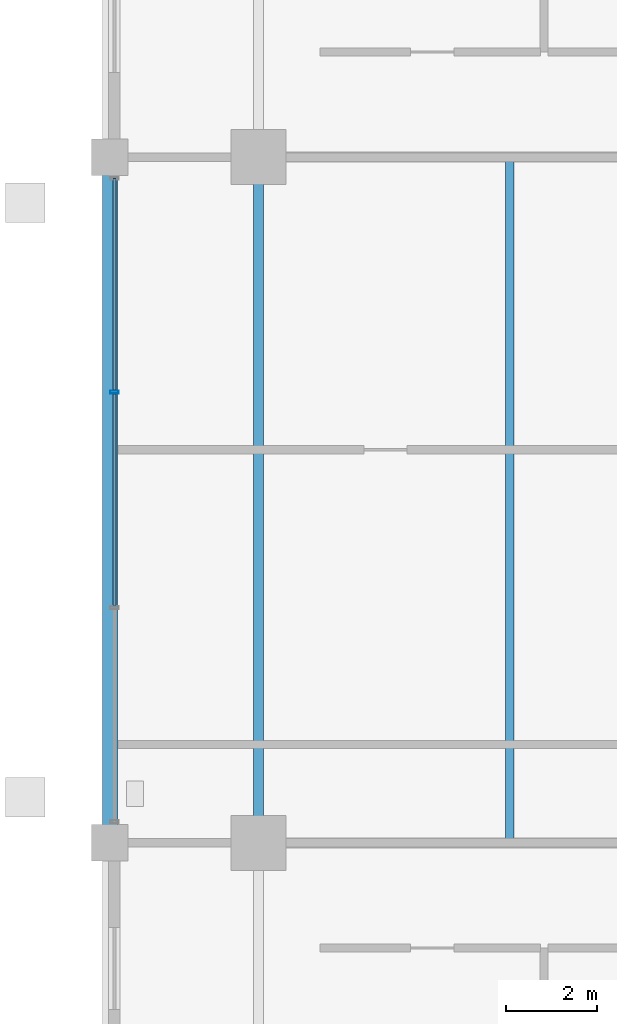
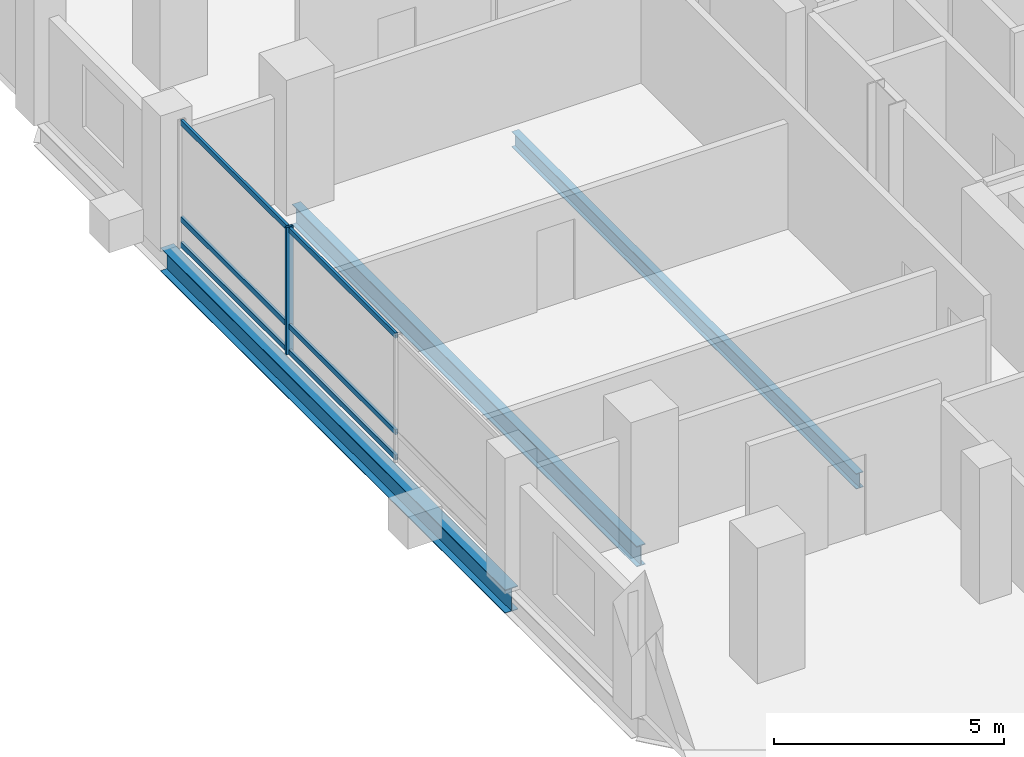
# One storey, part 5 of 19: 7 members, 3 beams, 1 element without a shape of its own.
"""IFC4 building model written with IfcOpenShell, lengths in metres."""

import ifcopenshell
import ifcopenshell.guid

model = None  # the IFC model being written
_history = None  # IfcOwnerHistory: only IFC2X3 demands one
_inside = {}  # id of a spatial element -> (the spatial element, [elements in it])
_under = {}  # id of a project, library or spatial element -> (it, [spatial elements below it])
_declared = {}  # id of a project -> (the project, [libraries it declares])
_typed = {}  # id of a type object -> (the type object, [elements of that type])
_made_of = {}  # id of a material, layer set ... -> (it, [elements and type objects made of it])


def new_model(schema):
    """Start an empty IFC model of exactly this schema.

    Asked for "IFC4X3", IfcOpenShell would pick the latest addendum, in which some entities
    have other attributes; the version numbers below select the first issue.
    IFC2X3 requires an IfcOwnerHistory on every rooted entity: one is made here for all.
    """
    global model, _history
    if schema == "IFC4X3":
        model = ifcopenshell.file(schema_version=(4, 3, 0, 0))
    else:
        model = ifcopenshell.file(schema=schema)
    _inside.clear()
    _under.clear()
    _declared.clear()
    _typed.clear()
    _made_of.clear()
    _history = None
    if model.schema == "IFC2X3":
        org = make("IfcOrganization", Name="unknown")
        user = make(
            "IfcPersonAndOrganization",
            ThePerson=make("IfcPerson", FamilyName="unknown"),
            TheOrganization=org,
        )
        app = make(
            "IfcApplication",
            ApplicationDeveloper=org,
            Version="unknown",
            ApplicationFullName="unknown",
            ApplicationIdentifier="unknown",
        )
        _history = make(
            "IfcOwnerHistory",
            OwningUser=user,
            OwningApplication=app,
            ChangeAction="ADDED",
            CreationDate=0,
        )
    return model


def make(cls, **values):
    """One entity of the class cls with the attributes given. An attribute that is None is left unset."""
    return model.create_entity(
        cls, **{name: value for name, value in values.items() if value is not None}
    )


def rooted(cls, **values):
    """An entity with a GlobalId (a new one), such as an element, a storey or a relation."""
    return make(cls, GlobalId=ifcopenshell.guid.new(), OwnerHistory=_history, **values)


def si_unit(unit_type, name, prefix=None):
    """IfcSIUnit, for example si_unit("LENGTHUNIT", "METRE", prefix="MILLI")."""
    return make("IfcSIUnit", UnitType=unit_type, Prefix=prefix, Name=name)


def assignment(units):
    """IfcUnitAssignment: the units of a project."""
    return None if units is None else make("IfcUnitAssignment", Units=units)


def point(xyz):
    """IfcCartesianPoint."""
    return None if xyz is None else make("IfcCartesianPoint", Coordinates=xyz)


def direction(xyz):
    """IfcDirection."""
    return None if xyz is None else make("IfcDirection", DirectionRatios=xyz)


def frame(location, z_axis=None, x_axis=None):
    """IfcAxis2Placement3D, a coordinate frame: its origin and axes. An axis left out is left unset."""
    return make(
        "IfcAxis2Placement3D",
        Location=point(location),
        Axis=direction(z_axis),
        RefDirection=direction(x_axis),
    )


def frame_2d(location, x_axis=None):
    """IfcAxis2Placement2D, a coordinate frame in the plane: its origin and x axis."""
    return make(
        "IfcAxis2Placement2D", Location=point(location), RefDirection=direction(x_axis)
    )


def origin():
    """The frame at (0, 0, 0) with its axes left unset."""
    return frame((0.0, 0.0, 0.0))


def origin_2d():
    """The frame at (0, 0) in the plane with its x axis left unset."""
    return frame_2d((0.0, 0.0))


def place(relative_to, where):
    """IfcLocalPlacement: puts the frame where relative to a parent placement (None: the world)."""
    return make(
        "IfcLocalPlacement", PlacementRelTo=relative_to, RelativePlacement=where
    )


def context(
    kind, dimensions, precision=None, world=None, true_north=None, identifier=None
):
    """IfcGeometricRepresentationContext, for example the 3D "Model" context."""
    return make(
        "IfcGeometricRepresentationContext",
        ContextIdentifier=identifier,
        ContextType=kind,
        CoordinateSpaceDimension=dimensions,
        Precision=precision,
        WorldCoordinateSystem=world,
        TrueNorth=true_north,
    )


def subcontext(parent, identifier, kind, view, scale=None):
    """IfcGeometricRepresentationSubContext, for example "Body" below "Model"."""
    return make(
        "IfcGeometricRepresentationSubContext",
        ContextIdentifier=identifier,
        ContextType=kind,
        ParentContext=parent,
        TargetScale=scale,
        TargetView=view,
    )


def project(units=None, contexts=None):
    """IfcProject with its units and contexts."""
    return rooted(
        "IfcProject",
        Name="project",
        RepresentationContexts=contexts,
        UnitsInContext=assignment(units),
    )


def spatial(cls, under=None, at=None, **own):
    """A site, building, storey or space (cls), placed at a placement, below another one or the project."""
    s = rooted(cls, ObjectPlacement=at, **own)
    if under is not None:
        _under.setdefault(under.id(), (under, []))[1].append(s)
    return s


def profile(cls, at=None, kind="AREA", **sizes):
    """A parametric profile (cls). Its sizes go by their IFC names, for example OverallWidth=200.0."""
    return make(cls, ProfileType=kind, Position=at, **sizes)


def hollow_rectangle(**sizes):
    """IfcRectangleHollowProfileDef."""
    return profile("IfcRectangleHollowProfileDef", **sizes)


def i_section(**sizes):
    """IfcIShapeProfileDef."""
    return profile("IfcIShapeProfileDef", **sizes)


def extrude(swept, where, along, depth):
    """IfcExtrudedAreaSolid: the profile swept, set in the frame where, extruded along a direction by depth."""
    return make(
        "IfcExtrudedAreaSolid",
        SweptArea=swept,
        Position=where,
        ExtrudedDirection=direction(along),
        Depth=depth,
    )


def shape(context_of_items, identifier, shape_type, items):
    """IfcShapeRepresentation: the items that make up one representation, for example the "Body"."""
    return make(
        "IfcShapeRepresentation",
        ContextOfItems=context_of_items,
        RepresentationIdentifier=identifier,
        RepresentationType=shape_type,
        Items=items,
    )


def material(Name=None, Category=None):
    """IfcMaterial."""
    return make("IfcMaterial", Name=Name, Category=Category)


def layer(
    of_material, thickness, ventilated=None, Name=None, Category=None, Priority=None
):
    """IfcMaterialLayer: one layer of a wall or slab, of a material (None: an air gap)."""
    return make(
        "IfcMaterialLayer",
        Material=of_material,
        LayerThickness=thickness,
        IsVentilated=ventilated,
        Name=Name,
        Category=Category,
        Priority=Priority,
    )


def layer_set(layers, Name=None):
    """IfcMaterialLayerSet."""
    return make("IfcMaterialLayerSet", MaterialLayers=layers, LayerSetName=Name)


def material_profile(
    of_material, cross_section, Name=None, Category=None, Priority=None
):
    """IfcMaterialProfile: a cross section and its material."""
    return make(
        "IfcMaterialProfile",
        Name=Name,
        Material=of_material,
        Profile=cross_section,
        Priority=Priority,
        Category=Category,
    )


def profile_set(profiles, Name=None, composite=None):
    """IfcMaterialProfileSet."""
    return make(
        "IfcMaterialProfileSet",
        Name=Name,
        MaterialProfiles=profiles,
        CompositeProfile=composite,
    )


def made_of(thing, what):
    """Note that an element or type object is made of a material, layer set ...; save() writes the relation."""
    if what is not None:
        _made_of.setdefault(what.id(), (what, []))[1].append(thing)
    return thing


def type_object(cls, material=None, **own):
    """A type object (cls), such as IfcWallType, which elements share."""
    return made_of(rooted(cls, **own), material)


def element(
    cls,
    number,
    at=None,
    inside=None,
    cuts=None,
    type_object=None,
    material=None,
    context=None,
    identifier="Body",
    shape_type=None,
    held_by="IfcProductDefinitionShape",
    body=None,
    shapes=None,
    **own,
):
    """One element of the class cls, such as IfcWall. Its Tag is "e" and its number.

    at: its placement. inside: the storey or other place that contains it. cuts: it is an
    opening in that element (IfcRelVoidsElement). A single representation is given by context,
    identifier, shape_type and body (its items); several are given by shapes. held_by: the class
    of the entity that holds the representations. save() writes the other relations.
    """
    e = rooted(cls, Tag="e%d" % number, ObjectPlacement=at, **own)
    if body is not None:
        shapes = [shape(context, identifier, shape_type, body)]
    if shapes is not None:
        e.Representation = make(held_by, Representations=shapes)
    if inside is not None:
        _inside.setdefault(inside.id(), (inside, []))[1].append(e)
    if cuts is not None:
        rooted(
            "IfcRelVoidsElement", RelatingBuildingElement=cuts, RelatedOpeningElement=e
        )
    if type_object is not None:
        _typed.setdefault(type_object.id(), (type_object, []))[1].append(e)
    return made_of(e, material)


def aggregate(whole, parts):
    """IfcRelAggregates: a whole, such as a stair, and the parts it consists of."""
    return rooted("IfcRelAggregates", RelatingObject=whole, RelatedObjects=parts)


def save(model, path):
    """Write the relations noted so far, then the file.

    IfcRelAggregates (storeys below a building ...), IfcRelContainedInSpatialStructure (elements
    in a storey), IfcRelDefinesByType, IfcRelAssociatesMaterial and IfcRelDeclares: one each for
    every whole, place, type object, material and project.
    """
    for whole, parts in _under.values():
        aggregate(whole, parts)
    for where, things in _inside.values():
        rooted(
            "IfcRelContainedInSpatialStructure",
            RelatedElements=things,
            RelatingStructure=where,
        )
    for kind, things in _typed.values():
        rooted("IfcRelDefinesByType", RelatedObjects=things, RelatingType=kind)
    for what, things in _made_of.values():
        rooted("IfcRelAssociatesMaterial", RelatedObjects=things, RelatingMaterial=what)
    for by, libraries in _declared.values():
        rooted("IfcRelDeclares", RelatingContext=by, RelatedDefinitions=libraries)
    model.write(path)


model = new_model("IFC4")

# Units and contexts
model_context = context("Model", 3, precision=1e-05, world=origin(), true_north=direction((0.0, 1.0)))
body_context = subcontext(model_context, "Body", "Model", "MODEL_VIEW")
ifc_project = project(units=[si_unit("LENGTHUNIT", "METRE"), si_unit("AREAUNIT", "SQUARE_METRE"), si_unit("VOLUMEUNIT", "CUBIC_METRE"), si_unit("PLANEANGLEUNIT", "RADIAN"), si_unit("MASSUNIT", "GRAM", prefix="KILO")], contexts=[model_context])

# Site, building, storey
site_placement = place(None, origin())
site = spatial("IfcSite", under=ifc_project, at=site_placement, CompositionType="ELEMENT")
building_placement = place(site_placement, origin())
building = spatial("IfcBuilding", under=site, at=building_placement, Name="Barlavira Tower and Art Museum", CompositionType="ELEMENT")
storey_placement = place(building_placement, frame((0.0, 0.0, 158.39990234375)))
storey = spatial("IfcBuildingStorey", under=building, at=storey_placement, Name="L40", CompositionType="ELEMENT", Elevation=158.39990234375)

# Curtain wall, members
ifc_material_1 = material(Name="Low-iron coastal laminated glass", Category="glass")
ifc_layer = layer(ifc_material_1, 0.18994140625, Name="Low-iron coastal laminated glass")
ifc_layer_set = layer_set([ifc_layer], Name="Low-iron coastal laminated glass")
curtain_wall_type = type_object("IfcCurtainWallType", Name="Pale-Metal Unitised Curtain Wall Zone 2", PredefinedType="NOTDEFINED", material=ifc_layer_set)
curtain_wall_placement = place(storey_placement, origin())
curtain_wall = element("IfcCurtainWall", 1, at=curtain_wall_placement, inside=storey, type_object=curtain_wall_type, Name="L40 Curtain Wall CW2-L40-W-B3", PredefinedType="NOTDEFINED")
ifc_material_2 = material(Name="Pale anodised aluminium", Category="aluminium")
ifc_material_profile_1 = material_profile(ifc_material_2, hollow_rectangle(XDim=0.06494140625, YDim=0.179931640625, WallThickness=0.00390625, at=origin_2d()), Name="ALU-MULL 65x180x4")
ifc_profile_set_1 = profile_set([ifc_material_profile_1], Name="Pale anodised aluminium")
member_type_1 = type_object("IfcMemberType", Name="Curtain Wall Pale-Metal Mullion 65x180", PredefinedType="MULLION", material=ifc_profile_set_1)
member_1_placement = place(storey_placement, frame((-20.14990234375, 2.360107421875, 0.0), z_axis=(0.0, 0.0, 1.0), x_axis=(0.0, -1.0, 0.0)))
member_1 = element("IfcMember", 2, at=member_1_placement, type_object=member_type_1, Name="CW2-L40-W-B3 Mullion 1", PredefinedType="MULLION", context=body_context, shape_type="SweptSolid", body=[
    extrude(hollow_rectangle(XDim=0.06494140625, YDim=0.179931640625, WallThickness=0.00390625, at=origin_2d()), origin(), (0.0, 0.0, 1.0), 3.380126953125),
])
ifc_material_profile_2 = material_profile(ifc_material_2, hollow_rectangle(XDim=0.06494140625, YDim=0.139892578125, WallThickness=0.00390625, at=origin_2d()), Name="ALU-TRAN 65x140x4")
ifc_profile_set_2 = profile_set([ifc_material_profile_2], Name="Pale anodised aluminium")
member_type_2 = type_object("IfcMemberType", Name="Curtain Wall Pale-Metal Transom 65x140", PredefinedType="USERDEFINED", material=ifc_profile_set_2)
member_2_placement = place(storey_placement, frame((-20.14990234375, 7.034912109375, 0.070068359375), z_axis=(0.0, -1.0, 0.0), x_axis=(1.0, 0.0, 0.0)))
member_2 = element("IfcMember", 3, at=member_2_placement, type_object=member_type_2, Name="CW2-L40-W-B3 Transom 0.1", ObjectType="TRANSOM", PredefinedType="USERDEFINED", context=body_context, shape_type="SweptSolid", body=[
    extrude(hollow_rectangle(XDim=0.06494140625, YDim=0.139892578125, WallThickness=0.00390625, at=origin_2d()), origin(), (0.0, 0.0, 1.0), 4.6298828125),
])
member_3_placement = place(storey_placement, frame((-20.14990234375, 7.034912109375, 0.744140625), z_axis=(0.0, -1.0, 0.0), x_axis=(1.0, 0.0, 0.0)))
member_3 = element("IfcMember", 4, at=member_3_placement, type_object=member_type_2, Name="CW2-L40-W-B3 Transom 0.2", ObjectType="TRANSOM", PredefinedType="USERDEFINED", context=body_context, shape_type="SweptSolid", body=[
    extrude(hollow_rectangle(XDim=0.06494140625, YDim=0.139892578125, WallThickness=0.00390625, at=origin_2d()), origin(), (0.0, 0.0, 1.0), 4.6298828125),
])
member_4_placement = place(storey_placement, frame((-20.14990234375, 7.034912109375, 3.31005859375), z_axis=(0.0, -1.0, 0.0), x_axis=(1.0, 0.0, 0.0)))
member_4 = element("IfcMember", 5, at=member_4_placement, type_object=member_type_2, Name="CW2-L40-W-B3 Transom 0.3", ObjectType="TRANSOM", PredefinedType="USERDEFINED", context=body_context, shape_type="SweptSolid", body=[
    extrude(hollow_rectangle(XDim=0.06494140625, YDim=0.139892578125, WallThickness=0.00390625, at=origin_2d()), origin(), (0.0, 0.0, 1.0), 4.6298828125),
])
member_5_placement = place(storey_placement, frame((-20.14990234375, 2.31494140625, 0.070068359375), z_axis=(0.0, -1.0, 0.0), x_axis=(1.0, 0.0, 0.0)))
member_5 = element("IfcMember", 6, at=member_5_placement, type_object=member_type_2, Name="CW2-L40-W-B3 Transom 1.1", ObjectType="TRANSOM", PredefinedType="USERDEFINED", context=body_context, shape_type="SweptSolid", body=[
    extrude(hollow_rectangle(XDim=0.06494140625, YDim=0.139892578125, WallThickness=0.00390625, at=origin_2d()), origin(), (0.0, 0.0, 1.0), 4.6298828125),
])
member_6_placement = place(storey_placement, frame((-20.14990234375, 2.31494140625, 0.744140625), z_axis=(0.0, -1.0, 0.0), x_axis=(1.0, 0.0, 0.0)))
member_6 = element("IfcMember", 7, at=member_6_placement, type_object=member_type_2, Name="CW2-L40-W-B3 Transom 1.2", ObjectType="TRANSOM", PredefinedType="USERDEFINED", context=body_context, shape_type="SweptSolid", body=[
    extrude(hollow_rectangle(XDim=0.06494140625, YDim=0.139892578125, WallThickness=0.00390625, at=origin_2d()), origin(), (0.0, 0.0, 1.0), 4.6298828125),
])
member_7_placement = place(storey_placement, frame((-20.14990234375, 2.31494140625, 3.31005859375), z_axis=(0.0, -1.0, 0.0), x_axis=(1.0, 0.0, 0.0)))
member_7 = element("IfcMember", 8, at=member_7_placement, type_object=member_type_2, Name="CW2-L40-W-B3 Transom 1.3", ObjectType="TRANSOM", PredefinedType="USERDEFINED", context=body_context, shape_type="SweptSolid", body=[
    extrude(hollow_rectangle(XDim=0.06494140625, YDim=0.139892578125, WallThickness=0.00390625, at=origin_2d()), origin(), (0.0, 0.0, 1.0), 4.6298828125),
])
aggregate(curtain_wall, [member_1, member_2, member_3, member_4, member_5, member_6, member_7])

# Beams
ifc_material_3 = material(Name="Steel S355", Category="steel")
ifc_material_profile_3 = material_profile(ifc_material_3, i_section(OverallWidth=0.327880859375, OverallDepth=0.62890625, WebThickness=0.013916015625, FlangeThickness=0.021484375, at=origin_2d()), Name="W610x174.0")
ifc_profile_set_3 = profile_set([ifc_material_profile_3], Name="Steel S355")
beam_type_1 = type_object("IfcBeamType", Name="Perimeter Spandrel Edge Beam W610x174 Steel S355", PredefinedType="SPANDREL", material=ifc_profile_set_3)
beam_1_placement = place(storey_placement, frame((-20.25, -7.5, -0.534423828125), z_axis=(0.0, 1.0, 0.0), x_axis=(-1.0, 0.0, 0.0)))
element("IfcBeam", 9, at=beam_1_placement, inside=storey, type_object=beam_type_1, Name="L40 Spandrel 14", PredefinedType="SPANDREL", context=body_context, shape_type="SweptSolid", body=[
    extrude(i_section(OverallWidth=0.327880859375, OverallDepth=0.62890625, WebThickness=0.013916015625, FlangeThickness=0.021484375, at=origin_2d()), origin(), (0.0, 0.0, 1.0), 15.0),
])
ifc_material_profile_4 = material_profile(ifc_material_3, i_section(OverallWidth=0.214111328125, OverallDepth=0.549072265625, WebThickness=0.0146484375, FlangeThickness=0.023681640625, at=origin_2d()), Name="W530x138.0")
ifc_profile_set_4 = profile_set([ifc_material_profile_4], Name="Steel S355")
beam_type_2 = type_object("IfcBeamType", Name="Zone 1 Primary Floor Girder W530x138 Steel S355", PredefinedType="BEAM", material=ifc_profile_set_4)
beam_2_placement = place(storey_placement, frame((-17.0, -7.5, -0.494384765625), z_axis=(0.0, 1.0, 0.0), x_axis=(-1.0, 0.0, 0.0)))
element("IfcBeam", 10, at=beam_2_placement, inside=storey, type_object=beam_type_2, Name="L40 Girder M-W2", PredefinedType="BEAM", context=body_context, shape_type="SweptSolid", body=[
    extrude(i_section(OverallWidth=0.214111328125, OverallDepth=0.549072265625, WebThickness=0.0146484375, FlangeThickness=0.023681640625, at=origin_2d()), origin(), (0.0, 0.0, 1.0), 15.0),
])
ifc_material_profile_5 = material_profile(ifc_material_3, i_section(OverallWidth=0.179931640625, OverallDepth=0.4130859375, WebThickness=0.009765625, FlangeThickness=0.01611328125, at=origin_2d()), Name="W410x75.0")
ifc_profile_set_5 = profile_set([ifc_material_profile_5], Name="Steel S355")
beam_type_3 = type_object("IfcBeamType", Name="Zone 2 Composite Floor Joist W410x75 Steel S355", PredefinedType="JOIST", material=ifc_profile_set_5)
beam_3_placement = place(storey_placement, frame((-11.5, -7.5, -0.426513671875), z_axis=(0.0, 1.0, 0.0), x_axis=(-1.0, 0.0, 0.0)))
element("IfcBeam", 11, at=beam_3_placement, inside=storey, type_object=beam_type_3, Name="L40 Joist W1", PredefinedType="JOIST", context=body_context, shape_type="SweptSolid", body=[
    extrude(i_section(OverallWidth=0.179931640625, OverallDepth=0.4130859375, WebThickness=0.009765625, FlangeThickness=0.01611328125, at=origin_2d()), origin(), (0.0, 0.0, 1.0), 15.0),
])

save(model, "model.ifc")
